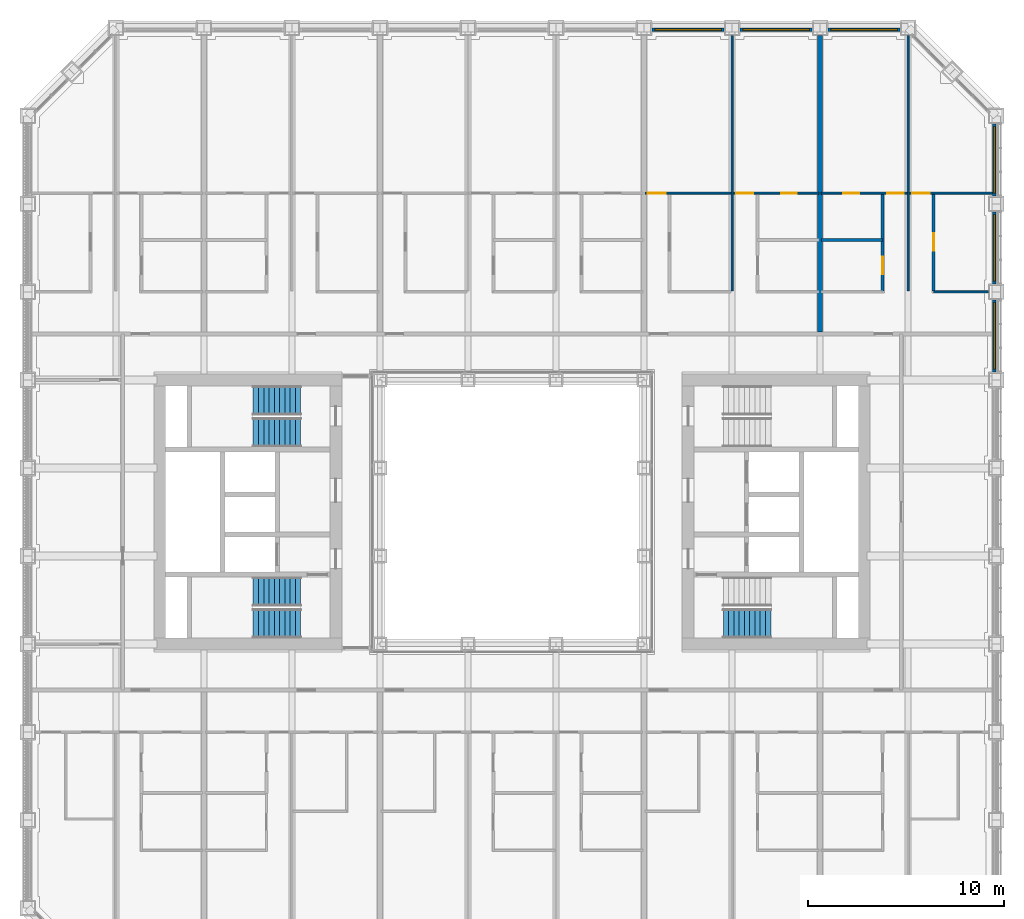
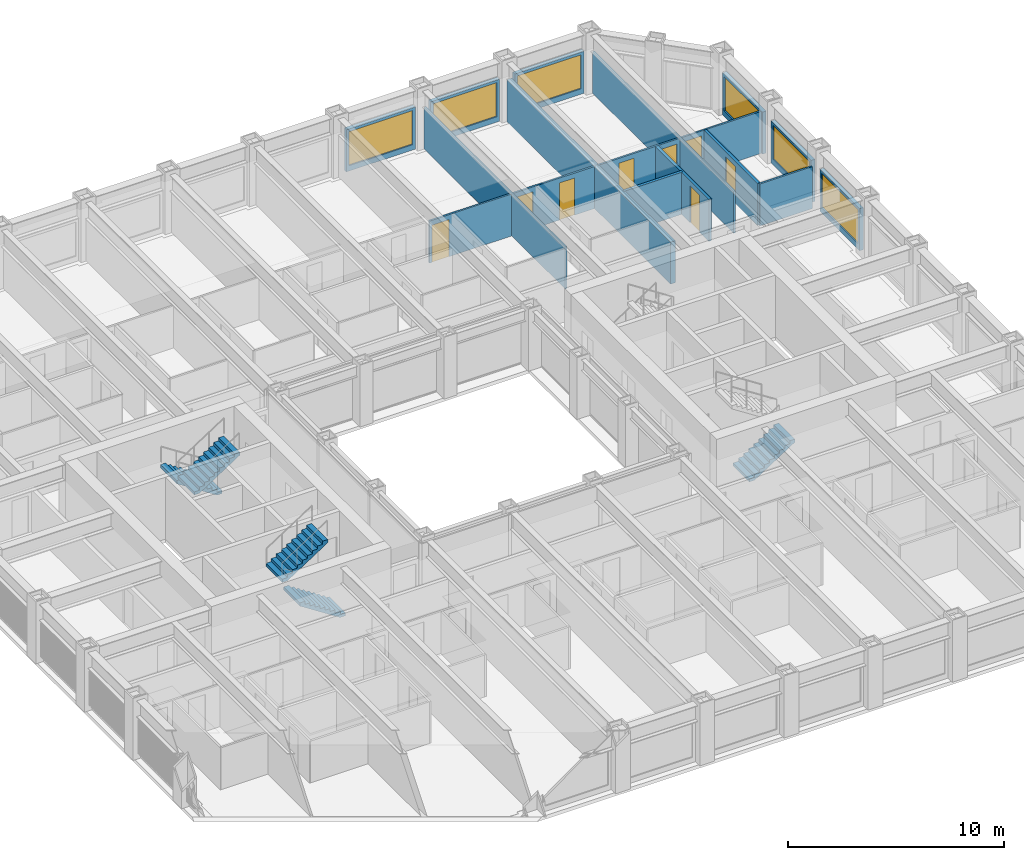
# One storey, part 15 of 21: 17 walls, 8 doors, 6 windows, 5 stair flights, 14 openings, 3 elements without a shape of their own.
"""IFC4 building model written with IfcOpenShell, lengths in metres."""

from ifc_helpers import new_model, si_unit, direction, frame, frame_2d, origin, place, context, subcontext, project, spatial, polyline, rectangle, outline, extrude, material, layer, layer_set, type_object, element, fill, aggregate, save


model = new_model("IFC4")

# Units and contexts
model_context = context("Model", 3, precision=1e-05, world=origin(), true_north=direction((0.0, 1.0)))
body_context = subcontext(model_context, "Body", "Model", "MODEL_VIEW")
ifc_project = project(units=[si_unit("LENGTHUNIT", "METRE"), si_unit("AREAUNIT", "SQUARE_METRE"), si_unit("VOLUMEUNIT", "CUBIC_METRE"), si_unit("PLANEANGLEUNIT", "RADIAN"), si_unit("MASSUNIT", "GRAM", prefix="KILO")], contexts=[model_context])

# Site, building, storey
site_placement = place(None, origin())
site = spatial("IfcSite", under=ifc_project, at=site_placement, CompositionType="ELEMENT")
building_placement = place(site_placement, origin())
building = spatial("IfcBuilding", under=site, at=building_placement, Name="Msasa Ring Tower", CompositionType="ELEMENT")
storey_placement = place(building_placement, frame((0.0, 0.0, 54.5)))
storey = spatial("IfcBuildingStorey", under=building, at=storey_placement, Name="L13", CompositionType="ELEMENT", Elevation=54.5)

# Wall, opening, window
ifc_material_1 = material(Name="Terracotta rainscreen on blockwork", Category="masonry")
ifc_layer_1 = layer(ifc_material_1, 0.199951171875)
ifc_layer_set_1 = layer_set([ifc_layer_1], Name="FW1 TERRACOTTA-LINED INFILL BAY WALL 200")
wall_type_1 = type_object("IfcWallType", Name="FW1 TERRACOTTA-LINED INFILL BAY WALL 200", PredefinedType="SOLIDWALL", material=ifc_layer_set_1)
wall_1_placement = place(storey_placement, frame((24.64990234375, 7.155029296875, 0.0), z_axis=(0.0, 0.0, 1.0), x_axis=(0.0, 1.0, 0.0)))
wall_1 = element("IfcWall", 1, at=wall_1_placement, inside=storey, type_object=wall_type_1, Name="Infill bay wall E L13 17", PredefinedType="SOLIDWALL", context=body_context, shape_type="SweptSolid", body=[
    extrude(rectangle(XDim=3.68994140625, YDim=0.199951171875, at=frame_2d((1.844970703125, 0.0))), origin(), (0.0, 0.0, 1.0), 2.37890625),
])
opening_1_placement = place(wall_1_placement, frame((0.14501953125, 0.0, 0.300048828125)))
opening_1 = element("IfcOpeningElement", 2, at=opening_1_placement, cuts=wall_1, Name="Opening WN1", PredefinedType="OPENING", context=body_context, shape_type="SweptSolid", body=[
    extrude(rectangle(XDim=3.39990234375, YDim=1.928955078125, at=frame_2d((1.699951171875, 0.96435546875))), frame((0.0, 0.10986328125, 0.0), z_axis=(0.0, -1.0, 0.0), x_axis=(1.0, 0.0, 0.0)), (0.0, 0.0, 1.0), 0.219970703125),
])
ifc_material_2 = material(Name="Aluminium frame with clear glass", Category="aluminium")
window_type = type_object("IfcWindowType", Name="WN1 RESIDENCE WINDOW 3400x1929", PartitioningType="SINGLE_PANEL", PredefinedType="WINDOW", material=ifc_material_2)
window_1_placement = place(opening_1_placement, origin())
window_1 = element("IfcWindow", 3, at=window_1_placement, inside=storey, type_object=window_type, Name="Window E L13 17", OverallHeight=1.928955078125, OverallWidth=3.39990234375, PartitioningType="SINGLE_PANEL", PredefinedType="WINDOW", context=body_context, shape_type="SweptSolid", body=[
    extrude(rectangle(XDim=3.39990234375, YDim=1.928955078125, at=frame_2d((1.699951171875, 0.96435546875))), frame((0.0, 0.030029296875, 0.0), z_axis=(0.0, -1.0, 0.0), x_axis=(1.0, 0.0, 0.0)), (0.0, 0.0, 1.0), 0.06005859375),
])
fill(opening_1, window_1)

wall_2_placement = place(storey_placement, frame((24.64990234375, 11.655029296875, 0.0), z_axis=(0.0, 0.0, 1.0), x_axis=(0.0, 1.0, 0.0)))
wall_2 = element("IfcWall", 4, at=wall_2_placement, inside=storey, type_object=wall_type_1, Name="Infill bay wall E L13 18", PredefinedType="SOLIDWALL", context=body_context, shape_type="SweptSolid", body=[
    extrude(rectangle(XDim=3.68994140625, YDim=0.199951171875, at=frame_2d((1.844970703125, 0.0))), origin(), (0.0, 0.0, 1.0), 2.37890625),
])
opening_2_placement = place(wall_2_placement, frame((0.14501953125, 0.0, 0.300048828125)))
opening_2 = element("IfcOpeningElement", 5, at=opening_2_placement, cuts=wall_2, Name="Opening WN1", PredefinedType="OPENING", context=body_context, shape_type="SweptSolid", body=[
    extrude(rectangle(XDim=3.39990234375, YDim=1.928955078125, at=frame_2d((1.699951171875, 0.96435546875))), frame((0.0, 0.10986328125, 0.0), z_axis=(0.0, -1.0, 0.0), x_axis=(1.0, 0.0, 0.0)), (0.0, 0.0, 1.0), 0.219970703125),
])
window_2_placement = place(opening_2_placement, origin())
window_2 = element("IfcWindow", 6, at=window_2_placement, inside=storey, type_object=window_type, Name="Window E L13 18", OverallHeight=1.928955078125, OverallWidth=3.39990234375, PartitioningType="SINGLE_PANEL", PredefinedType="WINDOW", context=body_context, shape_type="SweptSolid", body=[
    extrude(rectangle(XDim=3.39990234375, YDim=1.928955078125, at=frame_2d((1.699951171875, 0.96435546875))), frame((0.0, 0.030029296875, 0.0), z_axis=(0.0, -1.0, 0.0), x_axis=(1.0, 0.0, 0.0)), (0.0, 0.0, 1.0), 0.06005859375),
])
fill(opening_2, window_2)

wall_3_placement = place(storey_placement, frame((24.64990234375, 16.155029296875, 0.0), z_axis=(0.0, 0.0, 1.0), x_axis=(0.0, 1.0, 0.0)))
wall_3 = element("IfcWall", 7, at=wall_3_placement, inside=storey, type_object=wall_type_1, Name="Infill bay wall E L13 19", PredefinedType="SOLIDWALL", context=body_context, shape_type="SweptSolid", body=[
    extrude(rectangle(XDim=3.68994140625, YDim=0.199951171875, at=frame_2d((1.844970703125, 0.0))), origin(), (0.0, 0.0, 1.0), 2.37890625),
])
opening_3_placement = place(wall_3_placement, frame((0.14501953125, 0.0, 0.300048828125)))
opening_3 = element("IfcOpeningElement", 8, at=opening_3_placement, cuts=wall_3, Name="Opening WN1", PredefinedType="OPENING", context=body_context, shape_type="SweptSolid", body=[
    extrude(rectangle(XDim=3.39990234375, YDim=1.928955078125, at=frame_2d((1.699951171875, 0.96435546875))), frame((0.0, 0.10986328125, 0.0), z_axis=(0.0, -1.0, 0.0), x_axis=(1.0, 0.0, 0.0)), (0.0, 0.0, 1.0), 0.219970703125),
])
window_3_placement = place(opening_3_placement, origin())
window_3 = element("IfcWindow", 9, at=window_3_placement, inside=storey, type_object=window_type, Name="Window E L13 19", OverallHeight=1.928955078125, OverallWidth=3.39990234375, PartitioningType="SINGLE_PANEL", PredefinedType="WINDOW", context=body_context, shape_type="SweptSolid", body=[
    extrude(rectangle(XDim=3.39990234375, YDim=1.928955078125, at=frame_2d((1.699951171875, 0.96435546875))), frame((0.0, 0.030029296875, 0.0), z_axis=(0.0, -1.0, 0.0), x_axis=(1.0, 0.0, 0.0)), (0.0, 0.0, 1.0), 0.06005859375),
])
fill(opening_3, window_3)

wall_4_placement = place(storey_placement, frame((7.155029296875, 24.64990234375, 0.0), z_axis=(0.0, 0.0, 1.0), x_axis=(1.0, 0.0, 0.0)))
wall_4 = element("IfcWall", 10, at=wall_4_placement, inside=storey, type_object=wall_type_1, Name="Infill bay wall N L13 28", PredefinedType="SOLIDWALL", context=body_context, shape_type="SweptSolid", body=[
    extrude(rectangle(XDim=3.68994140625, YDim=0.199951171875, at=frame_2d((1.844970703125, 0.0))), origin(), (0.0, 0.0, 1.0), 2.37890625),
])
opening_4_placement = place(wall_4_placement, frame((0.14501953125, 0.0, 0.300048828125)))
opening_4 = element("IfcOpeningElement", 11, at=opening_4_placement, cuts=wall_4, Name="Opening WN1", PredefinedType="OPENING", context=body_context, shape_type="SweptSolid", body=[
    extrude(rectangle(XDim=3.39990234375, YDim=1.928955078125, at=frame_2d((1.699951171875, 0.96435546875))), frame((0.0, 0.10986328125, 0.0), z_axis=(0.0, -1.0, 0.0), x_axis=(1.0, 0.0, 0.0)), (0.0, 0.0, 1.0), 0.219970703125),
])
window_4_placement = place(opening_4_placement, origin())
window_4 = element("IfcWindow", 12, at=window_4_placement, inside=storey, type_object=window_type, Name="Window N L13 28", OverallHeight=1.928955078125, OverallWidth=3.39990234375, PartitioningType="SINGLE_PANEL", PredefinedType="WINDOW", context=body_context, shape_type="SweptSolid", body=[
    extrude(rectangle(XDim=3.39990234375, YDim=1.928955078125, at=frame_2d((1.699951171875, 0.96435546875))), frame((0.0, 0.030029296875, 0.0), z_axis=(0.0, -1.0, 0.0), x_axis=(1.0, 0.0, 0.0)), (0.0, 0.0, 1.0), 0.06005859375),
])
fill(opening_4, window_4)

wall_5_placement = place(storey_placement, frame((11.655029296875, 24.64990234375, 0.0), z_axis=(0.0, 0.0, 1.0), x_axis=(1.0, 0.0, 0.0)))
wall_5 = element("IfcWall", 13, at=wall_5_placement, inside=storey, type_object=wall_type_1, Name="Infill bay wall N L13 29", PredefinedType="SOLIDWALL", context=body_context, shape_type="SweptSolid", body=[
    extrude(rectangle(XDim=3.68994140625, YDim=0.199951171875, at=frame_2d((1.844970703125, 0.0))), origin(), (0.0, 0.0, 1.0), 2.37890625),
])
opening_5_placement = place(wall_5_placement, frame((0.14501953125, 0.0, 0.300048828125)))
opening_5 = element("IfcOpeningElement", 14, at=opening_5_placement, cuts=wall_5, Name="Opening WN1", PredefinedType="OPENING", context=body_context, shape_type="SweptSolid", body=[
    extrude(rectangle(XDim=3.39990234375, YDim=1.928955078125, at=frame_2d((1.699951171875, 0.96435546875))), frame((0.0, 0.10986328125, 0.0), z_axis=(0.0, -1.0, 0.0), x_axis=(1.0, 0.0, 0.0)), (0.0, 0.0, 1.0), 0.219970703125),
])
window_5_placement = place(opening_5_placement, origin())
window_5 = element("IfcWindow", 15, at=window_5_placement, inside=storey, type_object=window_type, Name="Window N L13 29", OverallHeight=1.928955078125, OverallWidth=3.39990234375, PartitioningType="SINGLE_PANEL", PredefinedType="WINDOW", context=body_context, shape_type="SweptSolid", body=[
    extrude(rectangle(XDim=3.39990234375, YDim=1.928955078125, at=frame_2d((1.699951171875, 0.96435546875))), frame((0.0, 0.030029296875, 0.0), z_axis=(0.0, -1.0, 0.0), x_axis=(1.0, 0.0, 0.0)), (0.0, 0.0, 1.0), 0.06005859375),
])
fill(opening_5, window_5)

wall_6_placement = place(storey_placement, frame((16.155029296875, 24.64990234375, 0.0), z_axis=(0.0, 0.0, 1.0), x_axis=(1.0, 0.0, 0.0)))
wall_6 = element("IfcWall", 16, at=wall_6_placement, inside=storey, type_object=wall_type_1, Name="Infill bay wall N L13 30", PredefinedType="SOLIDWALL", context=body_context, shape_type="SweptSolid", body=[
    extrude(rectangle(XDim=3.68994140625, YDim=0.199951171875, at=frame_2d((1.844970703125, 0.0))), origin(), (0.0, 0.0, 1.0), 2.37890625),
])
opening_6_placement = place(wall_6_placement, frame((0.14501953125, 0.0, 0.300048828125)))
opening_6 = element("IfcOpeningElement", 17, at=opening_6_placement, cuts=wall_6, Name="Opening WN1", PredefinedType="OPENING", context=body_context, shape_type="SweptSolid", body=[
    extrude(rectangle(XDim=3.39990234375, YDim=1.928955078125, at=frame_2d((1.699951171875, 0.96435546875))), frame((0.0, 0.10986328125, 0.0), z_axis=(0.0, -1.0, 0.0), x_axis=(1.0, 0.0, 0.0)), (0.0, 0.0, 1.0), 0.219970703125),
])
window_6_placement = place(opening_6_placement, origin())
window_6 = element("IfcWindow", 18, at=window_6_placement, inside=storey, type_object=window_type, Name="Window N L13 30", OverallHeight=1.928955078125, OverallWidth=3.39990234375, PartitioningType="SINGLE_PANEL", PredefinedType="WINDOW", context=body_context, shape_type="SweptSolid", body=[
    extrude(rectangle(XDim=3.39990234375, YDim=1.928955078125, at=frame_2d((1.699951171875, 0.96435546875))), frame((0.0, 0.030029296875, 0.0), z_axis=(0.0, -1.0, 0.0), x_axis=(1.0, 0.0, 0.0)), (0.0, 0.0, 1.0), 0.06005859375),
])
fill(opening_6, window_6)

# Wall, opening, door
ifc_material_3 = material(Name="Gypsum board on steel studs", Category="steel")
ifc_layer_2 = layer(ifc_material_3, 0.10009765625)
ifc_layer_set_2 = layer_set([ifc_layer_2], Name="PT2 STUD PARTITION 100")
wall_type_2 = type_object("IfcWallType", Name="PT2 STUD PARTITION 100", PredefinedType="PARTITIONING", material=ifc_layer_set_2)
wall_7_placement = place(storey_placement, frame((6.81005859375, 16.300048828125, 0.0), z_axis=(0.0, 0.0, 1.0), x_axis=(1.0, 0.0, 0.0)))
wall_7 = element("IfcWall", 19, at=wall_7_placement, inside=storey, type_object=wall_type_2, Name="Partition L13-UN03SY0", PredefinedType="PARTITIONING", context=body_context, shape_type="SweptSolid", body=[
    extrude(rectangle(XDim=4.389892578125, YDim=0.10009765625, at=frame_2d((2.19482421875, 0.0))), origin(), (0.0, 0.0, 1.0), 2.373291015625),
])
opening_7_placement = place(wall_7_placement, frame((0.139892578125, 0.0, 0.0)))
opening_7 = element("IfcOpeningElement", 20, at=opening_7_placement, cuts=wall_7, Name="Opening RC-012", PredefinedType="OPENING", context=body_context, shape_type="SweptSolid", body=[
    extrude(rectangle(XDim=0.89990234375, YDim=2.10009765625, at=frame_2d((0.449951171875, 1.050048828125))), frame((0.0, 0.06005859375, 0.0), z_axis=(0.0, -1.0, 0.0), x_axis=(1.0, 0.0, 0.0)), (0.0, 0.0, 1.0), 0.1201171875),
])
ifc_material_4 = material(Name="Timber door leaf in a steel frame", Category="steel")
door_type_1 = type_object("IfcDoorType", Name="D22 INTERNAL HALL DOOR 900x2100", OperationType="SINGLE_SWING_LEFT", PredefinedType="DOOR", material=ifc_material_4)
door_1_placement = place(opening_7_placement, origin())
door_1 = element("IfcDoor", 21, at=door_1_placement, inside=storey, type_object=door_type_1, Name="Door L13-UN03L", OperationType="SINGLE_SWING_LEFT", OverallHeight=2.10009765625, OverallWidth=0.89990234375, PredefinedType="DOOR", context=body_context, shape_type="SweptSolid", body=[
    extrude(rectangle(XDim=0.89990234375, YDim=2.10009765625, at=frame_2d((0.449951171875, 1.050048828125))), frame((0.0, 0.02490234375, 0.0), z_axis=(0.0, -1.0, 0.0), x_axis=(1.0, 0.0, 0.0)), (0.0, 0.0, 1.0), 0.050048828125),
])
fill(opening_7, door_1)

# Wall
wall_8_placement = place(storey_placement, frame((11.25, 11.300048828125, 0.0), z_axis=(0.0, 0.0, 1.0), x_axis=(0.0, 1.0, 0.0)))
element("IfcWall", 22, at=wall_8_placement, inside=storey, type_object=wall_type_2, Name="Partition L13-UN03P1", PredefinedType="PARTITIONING", context=body_context, shape_type="SweptSolid", body=[
    extrude(rectangle(XDim=13.050048828125, YDim=0.10009765625, at=frame_2d((6.52490234375, 0.0))), origin(), (0.0, 0.0, 1.0), 2.373291015625),
])

# Wall, openings, doors
wall_9_placement = place(storey_placement, frame((11.300048828125, 16.300048828125, 0.0), z_axis=(0.0, 0.0, 1.0), x_axis=(1.0, 0.0, 0.0)))
wall_9 = element("IfcWall", 23, at=wall_9_placement, inside=storey, type_object=wall_type_2, Name="Partition L13-UN03SY1", PredefinedType="PARTITIONING", context=body_context, shape_type="SweptSolid", body=[
    extrude(rectangle(XDim=4.389892578125, YDim=0.10009765625, at=frame_2d((2.19482421875, 0.0))), origin(), (0.0, 0.0, 1.0), 2.373291015625),
])
opening_8_placement = place(wall_9_placement, frame((0.175048828125, 0.0, 0.0)))
opening_8 = element("IfcOpeningElement", 24, at=opening_8_placement, cuts=wall_9, Name="Opening RC-013", PredefinedType="OPENING", context=body_context, shape_type="SweptSolid", body=[
    extrude(rectangle(XDim=0.85009765625, YDim=2.10009765625, at=frame_2d((0.425048828125, 1.050048828125))), frame((0.0, 0.06005859375, 0.0), z_axis=(0.0, -1.0, 0.0), x_axis=(1.0, 0.0, 0.0)), (0.0, 0.0, 1.0), 0.1201171875),
])
opening_9_placement = place(wall_9_placement, frame((2.4599609375, 0.0, 0.0)))
opening_9 = element("IfcOpeningElement", 25, at=opening_9_placement, cuts=wall_9, Name="Opening RC-014", PredefinedType="OPENING", context=body_context, shape_type="SweptSolid", body=[
    extrude(rectangle(XDim=0.800048828125, YDim=2.10009765625, at=frame_2d((0.39990234375, 1.050048828125))), frame((0.0, 0.06005859375, 0.0), z_axis=(0.0, -1.0, 0.0), x_axis=(1.0, 0.0, 0.0)), (0.0, 0.0, 1.0), 0.1201171875),
])
ifc_material_5 = material(Name="Timber door leaf in a steel frame", Category="steel")
door_type_2 = type_object("IfcDoorType", Name="D14 BEDROOM DOOR 850x2100", OperationType="SINGLE_SWING_LEFT", PredefinedType="DOOR", material=ifc_material_5)
door_2_placement = place(opening_8_placement, origin())
door_2 = element("IfcDoor", 26, at=door_2_placement, inside=storey, type_object=door_type_2, Name="Door L13-UN03R1", OperationType="SINGLE_SWING_LEFT", OverallHeight=2.10009765625, OverallWidth=0.85009765625, PredefinedType="DOOR", context=body_context, shape_type="SweptSolid", body=[
    extrude(rectangle(XDim=0.85009765625, YDim=2.10009765625, at=frame_2d((0.425048828125, 1.050048828125))), frame((0.0, 0.02490234375, 0.0), z_axis=(0.0, -1.0, 0.0), x_axis=(1.0, 0.0, 0.0)), (0.0, 0.0, 1.0), 0.050048828125),
])
fill(opening_8, door_2)
ifc_material_6 = material(Name="Timber door leaf in a steel frame", Category="steel")
door_type_3 = type_object("IfcDoorType", Name="D60 DRESSING ROOM DOOR 800x2100", OperationType="SINGLE_SWING_LEFT", PredefinedType="DOOR", material=ifc_material_6)
door_3_placement = place(opening_9_placement, origin())
door_3 = element("IfcDoor", 27, at=door_3_placement, inside=storey, type_object=door_type_3, Name="Door L13-UN03W1", OperationType="SINGLE_SWING_RIGHT", OverallHeight=2.10009765625, OverallWidth=0.800048828125, PredefinedType="DOOR", context=body_context, shape_type="SweptSolid", body=[
    extrude(rectangle(XDim=0.800048828125, YDim=2.10009765625, at=frame_2d((0.39990234375, 1.050048828125))), frame((0.0, 0.02490234375, 0.0), z_axis=(0.0, -1.0, 0.0), x_axis=(1.0, 0.0, 0.0)), (0.0, 0.0, 1.0), 0.050048828125),
])
fill(opening_9, door_3)

# Wall
wall_10_placement = place(storey_placement, frame((21.550048828125, 11.25, 0.0), z_axis=(0.0, 0.0, 1.0), x_axis=(1.0, 0.0, 0.0)))
element("IfcWall", 28, at=wall_10_placement, inside=storey, type_object=wall_type_2, Name="Partition L13-UN04HY0", PredefinedType="PARTITIONING", context=body_context, shape_type="SweptSolid", body=[
    extrude(rectangle(XDim=2.800048828125, YDim=0.10009765625, at=frame_2d((1.39990234375, 0.0))), origin(), (0.0, 0.0, 1.0), 2.373291015625),
])

# Wall, opening, door
wall_11_placement = place(storey_placement, frame((20.300048828125, 16.300048828125, 0.0), z_axis=(0.0, 0.0, 1.0), x_axis=(1.0, 0.0, 0.0)))
wall_11 = element("IfcWall", 29, at=wall_11_placement, inside=storey, type_object=wall_type_2, Name="Partition L13-UN04SY0", PredefinedType="PARTITIONING", context=body_context, shape_type="SweptSolid", body=[
    extrude(rectangle(XDim=4.25, YDim=0.10009765625, at=frame_2d((2.125, 0.0))), origin(), (0.0, 0.0, 1.0), 2.373291015625),
])
opening_10_placement = place(wall_11_placement, frame((0.14990234375, 0.0, 0.0)))
opening_10 = element("IfcOpeningElement", 30, at=opening_10_placement, cuts=wall_11, Name="Opening RC-017", PredefinedType="OPENING", context=body_context, shape_type="SweptSolid", body=[
    extrude(rectangle(XDim=0.89990234375, YDim=2.10009765625, at=frame_2d((0.449951171875, 1.050048828125))), frame((0.0, 0.06005859375, 0.0), z_axis=(0.0, -1.0, 0.0), x_axis=(1.0, 0.0, 0.0)), (0.0, 0.0, 1.0), 0.1201171875),
])
door_4_placement = place(opening_10_placement, origin())
door_4 = element("IfcDoor", 31, at=door_4_placement, inside=storey, type_object=door_type_1, Name="Door L13-UN04L", OperationType="SINGLE_SWING_LEFT", OverallHeight=2.10009765625, OverallWidth=0.89990234375, PredefinedType="DOOR", context=body_context, shape_type="SweptSolid", body=[
    extrude(rectangle(XDim=0.89990234375, YDim=2.10009765625, at=frame_2d((0.449951171875, 1.050048828125))), frame((0.0, 0.02490234375, 0.0), z_axis=(0.0, -1.0, 0.0), x_axis=(1.0, 0.0, 0.0)), (0.0, 0.0, 1.0), 0.050048828125),
])
fill(opening_10, door_4)

# Wall
wall_12_placement = place(storey_placement, frame((20.25, 11.300048828125, 0.0), z_axis=(0.0, 0.0, 1.0), x_axis=(0.0, 1.0, 0.0)))
element("IfcWall", 32, at=wall_12_placement, inside=storey, type_object=wall_type_2, Name="Partition L13-UN04P1", PredefinedType="PARTITIONING", context=body_context, shape_type="SweptSolid", body=[
    extrude(rectangle(XDim=13.050048828125, YDim=0.10009765625, at=frame_2d((6.52490234375, 0.0))), origin(), (0.0, 0.0, 1.0), 2.373291015625),
])

# Wall, openings, doors
wall_13_placement = place(storey_placement, frame((15.81005859375, 16.300048828125, 0.0), z_axis=(0.0, 0.0, 1.0), x_axis=(1.0, 0.0, 0.0)))
wall_13 = element("IfcWall", 33, at=wall_13_placement, inside=storey, type_object=wall_type_2, Name="Partition L13-UN04SY1", PredefinedType="PARTITIONING", context=body_context, shape_type="SweptSolid", body=[
    extrude(rectangle(XDim=4.389892578125, YDim=0.10009765625, at=frame_2d((2.19482421875, 0.0))), origin(), (0.0, 0.0, 1.0), 2.373291015625),
])
opening_11_placement = place(wall_13_placement, frame((3.364990234375, 0.0, 0.0)))
opening_11 = element("IfcOpeningElement", 34, at=opening_11_placement, cuts=wall_13, Name="Opening RC-016", PredefinedType="OPENING", context=body_context, shape_type="SweptSolid", body=[
    extrude(rectangle(XDim=0.85009765625, YDim=2.10009765625, at=frame_2d((0.425048828125, 1.050048828125))), frame((0.0, 0.06005859375, 0.0), z_axis=(0.0, -1.0, 0.0), x_axis=(1.0, 0.0, 0.0)), (0.0, 0.0, 1.0), 0.1201171875),
])
opening_12_placement = place(wall_13_placement, frame((1.1298828125, 0.0, 0.0)))
opening_12 = element("IfcOpeningElement", 35, at=opening_12_placement, cuts=wall_13, Name="Opening RC-015", PredefinedType="OPENING", context=body_context, shape_type="SweptSolid", body=[
    extrude(rectangle(XDim=0.800048828125, YDim=2.10009765625, at=frame_2d((0.39990234375, 1.050048828125))), frame((0.0, 0.06005859375, 0.0), z_axis=(0.0, -1.0, 0.0), x_axis=(1.0, 0.0, 0.0)), (0.0, 0.0, 1.0), 0.1201171875),
])
door_5_placement = place(opening_11_placement, origin())
door_5 = element("IfcDoor", 36, at=door_5_placement, inside=storey, type_object=door_type_2, Name="Door L13-UN04R1", OperationType="SINGLE_SWING_RIGHT", OverallHeight=2.10009765625, OverallWidth=0.85009765625, PredefinedType="DOOR", context=body_context, shape_type="SweptSolid", body=[
    extrude(rectangle(XDim=0.85009765625, YDim=2.10009765625, at=frame_2d((0.425048828125, 1.050048828125))), frame((0.0, 0.02490234375, 0.0), z_axis=(0.0, -1.0, 0.0), x_axis=(1.0, 0.0, 0.0)), (0.0, 0.0, 1.0), 0.050048828125),
])
fill(opening_11, door_5)
door_6_placement = place(opening_12_placement, origin())
door_6 = element("IfcDoor", 37, at=door_6_placement, inside=storey, type_object=door_type_3, Name="Door L13-UN04W1", OperationType="SINGLE_SWING_LEFT", OverallHeight=2.10009765625, OverallWidth=0.800048828125, PredefinedType="DOOR", context=body_context, shape_type="SweptSolid", body=[
    extrude(rectangle(XDim=0.800048828125, YDim=2.10009765625, at=frame_2d((0.39990234375, 1.050048828125))), frame((0.0, 0.02490234375, 0.0), z_axis=(0.0, -1.0, 0.0), x_axis=(1.0, 0.0, 0.0)), (0.0, 0.0, 1.0), 0.050048828125),
])
fill(opening_12, door_6)

# Wall
ifc_material_7 = material(Name="Dense concrete blockwork, plastered both faces", Category="masonry")
ifc_layer_3 = layer(ifc_material_7, 0.25)
ifc_layer_set_3 = layer_set([ifc_layer_3], Name="PT3 APARTMENT SEPARATING WALL 250")
wall_type_3 = type_object("IfcWallType", Name="PT3 APARTMENT SEPARATING WALL 250", PredefinedType="PARTITIONING", material=ifc_layer_set_3)
wall_14_placement = place(storey_placement, frame((15.75, 9.199951171875, 0.0), z_axis=(0.0, 0.0, 1.0), x_axis=(0.0, 1.0, 0.0)))
element("IfcWall", 38, at=wall_14_placement, inside=storey, type_object=wall_type_3, Name="Party wall L13-PWN+15.75", PredefinedType="PARTITIONING", context=body_context, shape_type="SweptSolid", body=[
    extrude(rectangle(XDim=15.150146484375, YDim=0.25, at=frame_2d((7.5751953125, 0.0))), origin(), (0.0, 0.0, 1.0), 2.373291015625),
])

# Wall, opening, door
ifc_material_8 = material(Name="Moisture-resistant board on steel studs with a concealed cistern and pipe void, tiled", Category="steel")
ifc_layer_4 = layer(ifc_material_8, 0.14990234375)
ifc_layer_set_4 = layer_set([ifc_layer_4], Name="PT4 BATHROOM WET WALL 150")
wall_type_4 = type_object("IfcWallType", Name="PT4 BATHROOM WET WALL 150", PredefinedType="PARTITIONING", material=ifc_layer_set_4)
wall_15_placement = place(storey_placement, frame((21.550048828125, 11.300048828125, 0.0), z_axis=(0.0, 0.0, 1.0), x_axis=(0.0, 1.0, 0.0)))
wall_15 = element("IfcWall", 39, at=wall_15_placement, inside=storey, type_object=wall_type_4, Name="Partition L13-UN04SX0", PredefinedType="PARTITIONING", context=body_context, shape_type="SweptSolid", body=[
    extrude(rectangle(XDim=5.0, YDim=0.14990234375, at=frame_2d((2.5, 0.0))), origin(), (0.0, 0.0, 1.0), 2.373291015625),
])
opening_13_placement = place(wall_15_placement, frame((2.050048828125, 0.0, 0.0)))
opening_13 = element("IfcOpeningElement", 40, at=opening_13_placement, cuts=wall_15, Name="Opening RC-022", PredefinedType="OPENING", context=body_context, shape_type="SweptSolid", body=[
    extrude(rectangle(XDim=0.89990234375, YDim=2.10009765625, at=frame_2d((0.449951171875, 1.050048828125))), frame((0.0, 0.0849609375, 0.0), z_axis=(0.0, -1.0, 0.0), x_axis=(1.0, 0.0, 0.0)), (0.0, 0.0, 1.0), 0.169921875),
])
door_7_placement = place(opening_13_placement, origin())
door_7 = element("IfcDoor", 41, at=door_7_placement, inside=storey, type_object=door_type_1, Name="Door L13-UN04K", OperationType="SINGLE_SWING_LEFT", OverallHeight=2.10009765625, OverallWidth=0.89990234375, PredefinedType="DOOR", context=body_context, shape_type="SweptSolid", body=[
    extrude(rectangle(XDim=0.89990234375, YDim=2.10009765625, at=frame_2d((0.449951171875, 1.050048828125))), frame((0.0, 0.02490234375, 0.0), z_axis=(0.0, -1.0, 0.0), x_axis=(1.0, 0.0, 0.0)), (0.0, 0.0, 1.0), 0.050048828125),
])
fill(opening_13, door_7)

wall_16_placement = place(storey_placement, frame((18.949951171875, 11.300048828125, 0.0), z_axis=(0.0, 0.0, 1.0), x_axis=(0.0, 1.0, 0.0)))
wall_16 = element("IfcWall", 42, at=wall_16_placement, inside=storey, type_object=wall_type_4, Name="Partition L13-UN04SX1", PredefinedType="PARTITIONING", context=body_context, shape_type="SweptSolid", body=[
    extrude(rectangle(XDim=5.0, YDim=0.14990234375, at=frame_2d((2.5, 0.0))), origin(), (0.0, 0.0, 1.0), 2.373291015625),
])
opening_14_placement = place(wall_16_placement, frame((0.85009765625, 0.0, 0.0)))
opening_14 = element("IfcOpeningElement", 43, at=opening_14_placement, cuts=wall_16, Name="Opening RC-028", PredefinedType="OPENING", context=body_context, shape_type="SweptSolid", body=[
    extrude(rectangle(XDim=0.89990234375, YDim=2.10009765625, at=frame_2d((0.449951171875, 1.050048828125))), frame((0.0, 0.0849609375, 0.0), z_axis=(0.0, -1.0, 0.0), x_axis=(1.0, 0.0, 0.0)), (0.0, 0.0, 1.0), 0.169921875),
])
ifc_material_9 = material(Name="Timber door leaf in a steel frame", Category="steel")
door_type_4 = type_object("IfcDoorType", Name="D3 BATHROOM DOOR 900x2100", OperationType="SINGLE_SWING_LEFT", PredefinedType="DOOR", material=ifc_material_9)
door_8_placement = place(opening_14_placement, origin())
door_8 = element("IfcDoor", 44, at=door_8_placement, inside=storey, type_object=door_type_4, Name="Door L13-UN04B1", OperationType="SINGLE_SWING_LEFT", OverallHeight=2.10009765625, OverallWidth=0.89990234375, PredefinedType="DOOR", context=body_context, shape_type="SweptSolid", body=[
    extrude(rectangle(XDim=0.89990234375, YDim=2.10009765625, at=frame_2d((0.449951171875, 1.050048828125))), frame((0.0, 0.02490234375, 0.0), z_axis=(0.0, -1.0, 0.0), x_axis=(1.0, 0.0, 0.0)), (0.0, 0.0, 1.0), 0.050048828125),
])
fill(opening_14, door_8)

# Wall
wall_17_placement = place(storey_placement, frame((15.81005859375, 13.89990234375, 0.0), z_axis=(0.0, 0.0, 1.0), x_axis=(1.0, 0.0, 0.0)))
element("IfcWall", 45, at=wall_17_placement, inside=storey, type_object=wall_type_4, Name="Partition L13-UN04SB1", PredefinedType="PARTITIONING", context=body_context, shape_type="SweptSolid", body=[
    extrude(rectangle(XDim=3.139892578125, YDim=0.14990234375, at=frame_2d((1.56982421875, 0.0))), origin(), (0.0, 0.0, 1.0), 2.373291015625),
])

# Stair, stair flight
ifc_material_10 = material(Name="Concrete C40/50", Category="concrete")
stair_type = type_object("IfcStairType", Name="STC CORE STAIR 20 RISERS 175", PredefinedType="HALF_TURN_STAIR", material=ifc_material_10)
stair_1_placement = place(storey_placement, origin())
stair_1 = element("IfcStair", 46, at=stair_1_placement, inside=storey, type_object=stair_type, Name="Core stair SEA L13", PredefinedType="HALF_TURN_STAIR")
ifc_material_11 = material(Name="Concrete C40/50", Category="concrete")
stair_flight_type = type_object("IfcStairFlightType", Name="ST12 CORE STAIR FLIGHT 1500 10 RISERS 175", PredefinedType="STRAIGHT", material=ifc_material_11)
stair_flight_1_placement = place(storey_placement, frame((10.800048828125, -5.699951171875, 0.0), z_axis=(0.0, 0.0, 1.0), x_axis=(1.0, 0.0, 0.0)))
stair_flight_1 = element("IfcStairFlight", 47, at=stair_flight_1_placement, type_object=stair_flight_type, Name="SEA flight 1", NumberOfRisers=10, NumberOfTreads=9, PredefinedType="STRAIGHT", RiserHeight=0.175, TreadLength=0.27, context=body_context, shape_type="SweptSolid", body=[
    extrude(outline(polyline([(0.0, 0.0), (0.0, 0.175048828125), (0.27001953125, 0.175048828125), (0.27001953125, 0.35009765625), (0.5400390625, 0.35009765625), (0.5400390625, 0.52490234375), (0.81005859375, 0.52490234375), (0.81005859375, 0.699951171875), (1.080078125, 0.699951171875), (1.080078125, 0.875), (1.35009765625, 0.875), (1.35009765625, 1.050048828125), (1.6201171875, 1.050048828125), (1.6201171875, 1.22509765625), (1.889892578125, 1.22509765625), (1.889892578125, 1.39990234375), (2.159912109375, 1.39990234375), (2.159912109375, 1.574951171875), (2.429931640625, 1.574951171875), (2.429931640625, 1.75), (2.429931640625, 1.396484375), (0.275634765625, 0.0), (0.0, 0.0)])), frame((0.0, 0.75, 0.0), z_axis=(0.0, -1.0, 0.0), x_axis=(1.0, 0.0, 0.0)), (0.0, 0.0, 1.0), 1.5),
])
aggregate(stair_1, [stair_flight_1])

# Stair, stair flights
stair_2_placement = place(storey_placement, origin())
stair_2 = element("IfcStair", 48, at=stair_2_placement, inside=storey, type_object=stair_type, Name="Core stair SWA L13", PredefinedType="HALF_TURN_STAIR")
stair_flight_2_placement = place(storey_placement, frame((-10.800048828125, -5.699951171875, 0.0), z_axis=(0.0, 0.0, 1.0), x_axis=(-1.0, 0.0, 0.0)))
stair_flight_2 = element("IfcStairFlight", 49, at=stair_flight_2_placement, type_object=stair_flight_type, Name="SWA flight 1", NumberOfRisers=10, NumberOfTreads=9, PredefinedType="STRAIGHT", RiserHeight=0.175, TreadLength=0.27, context=body_context, shape_type="SweptSolid", body=[
    extrude(outline(polyline([(0.0, 0.0), (0.0, 0.175048828125), (0.27001953125, 0.175048828125), (0.27001953125, 0.35009765625), (0.5400390625, 0.35009765625), (0.5400390625, 0.52490234375), (0.81005859375, 0.52490234375), (0.81005859375, 0.699951171875), (1.080078125, 0.699951171875), (1.080078125, 0.875), (1.35009765625, 0.875), (1.35009765625, 1.050048828125), (1.6201171875, 1.050048828125), (1.6201171875, 1.22509765625), (1.889892578125, 1.22509765625), (1.889892578125, 1.39990234375), (2.159912109375, 1.39990234375), (2.159912109375, 1.574951171875), (2.429931640625, 1.574951171875), (2.429931640625, 1.75), (2.429931640625, 1.396484375), (0.275634765625, 0.0), (0.0, 0.0)])), frame((0.0, 0.75, 0.0), z_axis=(0.0, -1.0, 0.0), x_axis=(1.0, 0.0, 0.0)), (0.0, 0.0, 1.0), 1.5),
])
stair_flight_3_placement = place(storey_placement, frame((-13.22998046875, -4.074951171875, 1.75), z_axis=(0.0, 0.0, 1.0), x_axis=(1.0, 0.0, 0.0)))
stair_flight_3 = element("IfcStairFlight", 50, at=stair_flight_3_placement, type_object=stair_flight_type, Name="SWA flight 2", NumberOfRisers=10, NumberOfTreads=9, PredefinedType="STRAIGHT", RiserHeight=0.175, TreadLength=0.27, context=body_context, shape_type="SweptSolid", body=[
    extrude(outline(polyline([(0.0, 0.0), (0.0, 0.175048828125), (0.27001953125, 0.175048828125), (0.27001953125, 0.35009765625), (0.5400390625, 0.35009765625), (0.5400390625, 0.52490234375), (0.81005859375, 0.52490234375), (0.81005859375, 0.699951171875), (1.080078125, 0.699951171875), (1.080078125, 0.875), (1.35009765625, 0.875), (1.35009765625, 1.050048828125), (1.6201171875, 1.050048828125), (1.6201171875, 1.22509765625), (1.889892578125, 1.22509765625), (1.889892578125, 1.39990234375), (2.159912109375, 1.39990234375), (2.159912109375, 1.574951171875), (2.429931640625, 1.574951171875), (2.429931640625, 1.75), (2.429931640625, 1.396484375), (0.275634765625, 0.0), (0.0, 0.0)])), frame((0.0, 0.75, 0.0), z_axis=(0.0, -1.0, 0.0), x_axis=(1.0, 0.0, 0.0)), (0.0, 0.0, 1.0), 1.5),
])
aggregate(stair_2, [stair_flight_2, stair_flight_3])

stair_3_placement = place(storey_placement, origin())
stair_3 = element("IfcStair", 51, at=stair_3_placement, inside=storey, type_object=stair_type, Name="Core stair SWB L13", PredefinedType="HALF_TURN_STAIR")
stair_flight_4_placement = place(storey_placement, frame((-10.800048828125, 5.699951171875, 0.0), z_axis=(0.0, 0.0, 1.0), x_axis=(-1.0, 0.0, 0.0)))
stair_flight_4 = element("IfcStairFlight", 52, at=stair_flight_4_placement, type_object=stair_flight_type, Name="SWB flight 1", NumberOfRisers=10, NumberOfTreads=9, PredefinedType="STRAIGHT", RiserHeight=0.175, TreadLength=0.27, context=body_context, shape_type="SweptSolid", body=[
    extrude(outline(polyline([(0.0, 0.0), (0.0, 0.175048828125), (0.27001953125, 0.175048828125), (0.27001953125, 0.35009765625), (0.5400390625, 0.35009765625), (0.5400390625, 0.52490234375), (0.81005859375, 0.52490234375), (0.81005859375, 0.699951171875), (1.080078125, 0.699951171875), (1.080078125, 0.875), (1.35009765625, 0.875), (1.35009765625, 1.050048828125), (1.6201171875, 1.050048828125), (1.6201171875, 1.22509765625), (1.889892578125, 1.22509765625), (1.889892578125, 1.39990234375), (2.159912109375, 1.39990234375), (2.159912109375, 1.574951171875), (2.429931640625, 1.574951171875), (2.429931640625, 1.75), (2.429931640625, 1.396484375), (0.275634765625, 0.0), (0.0, 0.0)])), frame((0.0, 0.75, 0.0), z_axis=(0.0, -1.0, 0.0), x_axis=(1.0, 0.0, 0.0)), (0.0, 0.0, 1.0), 1.5),
])
stair_flight_5_placement = place(storey_placement, frame((-13.22998046875, 4.074951171875, 1.75), z_axis=(0.0, 0.0, 1.0), x_axis=(1.0, 0.0, 0.0)))
stair_flight_5 = element("IfcStairFlight", 53, at=stair_flight_5_placement, type_object=stair_flight_type, Name="SWB flight 2", NumberOfRisers=10, NumberOfTreads=9, PredefinedType="STRAIGHT", RiserHeight=0.175, TreadLength=0.27, context=body_context, shape_type="SweptSolid", body=[
    extrude(outline(polyline([(0.0, 0.0), (0.0, 0.175048828125), (0.27001953125, 0.175048828125), (0.27001953125, 0.35009765625), (0.5400390625, 0.35009765625), (0.5400390625, 0.52490234375), (0.81005859375, 0.52490234375), (0.81005859375, 0.699951171875), (1.080078125, 0.699951171875), (1.080078125, 0.875), (1.35009765625, 0.875), (1.35009765625, 1.050048828125), (1.6201171875, 1.050048828125), (1.6201171875, 1.22509765625), (1.889892578125, 1.22509765625), (1.889892578125, 1.39990234375), (2.159912109375, 1.39990234375), (2.159912109375, 1.574951171875), (2.429931640625, 1.574951171875), (2.429931640625, 1.75), (2.429931640625, 1.396484375), (0.275634765625, 0.0), (0.0, 0.0)])), frame((0.0, 0.75, 0.0), z_axis=(0.0, -1.0, 0.0), x_axis=(1.0, 0.0, 0.0)), (0.0, 0.0, 1.0), 1.5),
])
aggregate(stair_3, [stair_flight_4, stair_flight_5])

save(model, "model.ifc")
